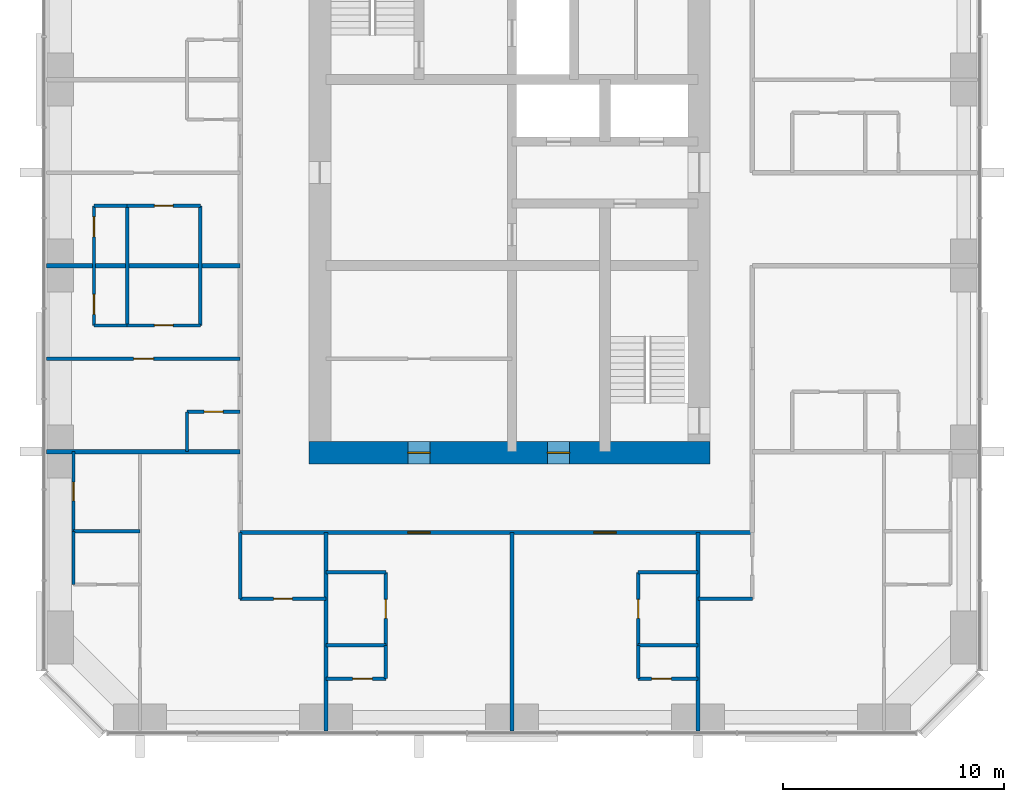
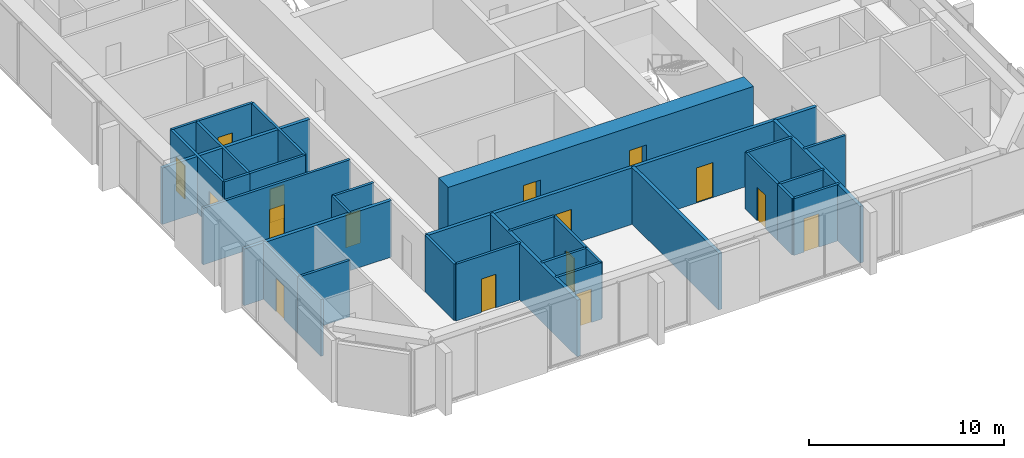
# One storey, part 7 of 12: 33 walls, 16 doors, 16 openings.
"""IFC4 building model written with IfcOpenShell, lengths in metres."""

from ifc_helpers import new_model, si_unit, direction, frame, frame_2d, origin, place, context, subcontext, project, spatial, rectangle, extrude, material, layer, layer_set, type_object, element, fill, save


model = new_model("IFC4")

# Units and contexts
model_context = context("Model", 3, precision=1e-05, world=origin(), true_north=direction((0.0, 1.0)))
body_context = subcontext(model_context, "Body", "Model", "MODEL_VIEW")
ifc_project = project(units=[si_unit("LENGTHUNIT", "METRE"), si_unit("AREAUNIT", "SQUARE_METRE"), si_unit("VOLUMEUNIT", "CUBIC_METRE"), si_unit("PLANEANGLEUNIT", "RADIAN"), si_unit("MASSUNIT", "GRAM", prefix="KILO")], contexts=[model_context])

# Site, building, storey
site_placement = place(None, origin())
site = spatial("IfcSite", under=ifc_project, at=site_placement, CompositionType="ELEMENT")
building_placement = place(site_placement, origin())
building = spatial("IfcBuilding", under=site, at=building_placement, Name="Dunama Terrace Hotel", CompositionType="ELEMENT")
storey_placement = place(building_placement, frame((0.0, 0.0, 229.5)))
storey = spatial("IfcBuildingStorey", under=building, at=storey_placement, Name="L59", CompositionType="ELEMENT", Elevation=229.5)

# Wall, opening, door
ifc_material_1 = material(Name="Gypsum board partition", Category="masonry")
ifc_layer_1 = layer(ifc_material_1, 0.14990234375)
ifc_layer_set_1 = layer_set([ifc_layer_1], Name="Bathroom partition 150")
wall_type_1 = type_object("IfcWallType", Name="Bathroom partition 150", PredefinedType="PARTITIONING", material=ifc_layer_set_1)
wall_1_placement = place(storey_placement, frame((13.800048828125, 13.199951171875, 0.0), z_axis=(0.0, 0.0, 1.0), x_axis=(0.0, 1.0, 0.0)))
wall_1 = element("IfcWall", 1, at=wall_1_placement, inside=storey, type_object=wall_type_1, Name="Bathroom partition 150 L59", PredefinedType="PARTITIONING", context=body_context, shape_type="SweptSolid", body=[
    extrude(rectangle(XDim=3.60009765625, YDim=0.14990234375, at=frame_2d((1.800048828125, 0.0))), origin(), (0.0, 0.0, 1.0), 3.550048828125),
])
opening_1_placement = place(wall_1_placement, frame((1.375, 0.0, 0.0)))
opening_1 = element("IfcOpeningElement", 2, at=opening_1_placement, cuts=wall_1, Name="Opening L59-049", PredefinedType="OPENING", context=body_context, shape_type="SweptSolid", body=[
    extrude(rectangle(XDim=0.85009765625, YDim=2.10009765625, at=frame_2d((0.425048828125, 1.050048828125))), frame((0.0, 0.0849609375, 0.0), z_axis=(0.0, -1.0, 0.0), x_axis=(1.0, 0.0, 0.0)), (0.0, 0.0, 1.0), 0.169921875),
])
ifc_material_2 = material(Name="Timber door with steel frame", Category="steel")
door_type_1 = type_object("IfcDoorType", Name="Bathroom door 850", OperationType="SINGLE_SWING_LEFT", PredefinedType="DOOR", material=ifc_material_2)
door_1_placement = place(opening_1_placement, frame((0.85009765625, 0.0, 0.0), z_axis=(0.0, 0.0, 1.0), x_axis=(-1.0, 0.0, 0.0)))
door_1 = element("IfcDoor", 3, at=door_1_placement, inside=storey, type_object=door_type_1, Name="Door to en-suite bathroom L59-049, type D2", OperationType="SINGLE_SWING_LEFT", OverallHeight=2.10009765625, OverallWidth=0.85009765625, PredefinedType="DOOR", context=body_context, shape_type="SweptSolid", body=[
    extrude(rectangle(XDim=0.85009765625, YDim=2.10009765625, at=frame_2d((0.425048828125, 1.050048828125))), frame((0.0, 0.025146484375, 0.0), z_axis=(0.0, -1.0, 0.0), x_axis=(1.0, 0.0, 0.0)), (0.0, 0.0, 1.0), 0.050048828125),
])
fill(opening_1, door_1)

# Walls
wall_2_placement = place(storey_placement, frame((18.925048828125, 16.800048828125, 0.0), z_axis=(0.0, 0.0, 1.0), x_axis=(0.0, 1.0, 0.0)))
element("IfcWall", 4, at=wall_2_placement, inside=storey, type_object=wall_type_1, Name="Bathroom partition 150 L59", PredefinedType="PARTITIONING", context=body_context, shape_type="SweptSolid", body=[
    extrude(rectangle(XDim=1.800048828125, YDim=0.14990234375, at=frame_2d((0.89990234375, 0.0))), origin(), (0.0, 0.0, 1.0), 3.550048828125),
])
wall_3_placement = place(storey_placement, frame((19.52490234375, 22.5, 0.0), z_axis=(0.0, 0.0, 1.0), x_axis=(0.0, 1.0, 0.0)))
element("IfcWall", 5, at=wall_3_placement, inside=storey, type_object=wall_type_1, Name="Bathroom partition 150 L59", PredefinedType="PARTITIONING", context=body_context, shape_type="SweptSolid", body=[
    extrude(rectangle(XDim=5.39990234375, YDim=0.14990234375, at=frame_2d((2.699951171875, 0.0))), origin(), (0.0, 0.0, 1.0), 3.550048828125),
])
wall_4_placement = place(storey_placement, frame((21.324951171875, 10.14990234375, 0.0), z_axis=(0.0, 0.0, 1.0), x_axis=(0.0, 1.0, 0.0)))
element("IfcWall", 6, at=wall_4_placement, inside=storey, type_object=wall_type_1, Name="Bathroom partition 150 L59", PredefinedType="PARTITIONING", context=body_context, shape_type="SweptSolid", body=[
    extrude(rectangle(XDim=3.0, YDim=0.14990234375, at=frame_2d((1.5, 0.0))), origin(), (0.0, 0.0, 1.0), 3.550048828125),
])

# Wall, opening, door
wall_5_placement = place(storey_placement, frame((27.89990234375, 8.050048828125, 0.0), z_axis=(0.0, 0.0, 1.0), x_axis=(0.0, 1.0, 0.0)))
wall_5 = element("IfcWall", 7, at=wall_5_placement, inside=storey, type_object=wall_type_1, Name="Bathroom partition 150 L59", PredefinedType="PARTITIONING", context=body_context, shape_type="SweptSolid", body=[
    extrude(rectangle(XDim=3.300048828125, YDim=0.14990234375, at=frame_2d((1.64990234375, 0.0))), origin(), (0.0, 0.0, 1.0), 3.550048828125),
])
opening_2_placement = place(wall_5_placement, frame((1.22509765625, 0.0, 0.0)))
opening_2 = element("IfcOpeningElement", 8, at=opening_2_placement, cuts=wall_5, Name="Opening L59-008", PredefinedType="OPENING", context=body_context, shape_type="SweptSolid", body=[
    extrude(rectangle(XDim=0.85009765625, YDim=2.10009765625, at=frame_2d((0.425048828125, 1.050048828125))), frame((0.0, 0.0849609375, 0.0), z_axis=(0.0, -1.0, 0.0), x_axis=(1.0, 0.0, 0.0)), (0.0, 0.0, 1.0), 0.169921875),
])
door_2_placement = place(opening_2_placement, origin())
door_2 = element("IfcDoor", 9, at=door_2_placement, inside=storey, type_object=door_type_1, Name="Door to en-suite bathroom L59-008, type D2", OperationType="SINGLE_SWING_LEFT", OverallHeight=2.10009765625, OverallWidth=0.85009765625, PredefinedType="DOOR", context=body_context, shape_type="SweptSolid", body=[
    extrude(rectangle(XDim=0.85009765625, YDim=2.10009765625, at=frame_2d((0.425048828125, 1.050048828125))), frame((0.0, 0.02490234375, 0.0), z_axis=(0.0, -1.0, 0.0), x_axis=(1.0, 0.0, 0.0)), (0.0, 0.0, 1.0), 0.050048828125),
])
fill(opening_2, door_2)

wall_6_placement = place(storey_placement, frame((39.300048828125, 8.050048828125, 0.0), z_axis=(0.0, 0.0, 1.0), x_axis=(0.0, 1.0, 0.0)))
wall_6 = element("IfcWall", 10, at=wall_6_placement, inside=storey, type_object=wall_type_1, Name="Bathroom partition 150 L59", PredefinedType="PARTITIONING", context=body_context, shape_type="SweptSolid", body=[
    extrude(rectangle(XDim=3.300048828125, YDim=0.14990234375, at=frame_2d((1.64990234375, 0.0))), origin(), (0.0, 0.0, 1.0), 3.550048828125),
])
opening_3_placement = place(wall_6_placement, frame((1.22509765625, 0.0, 0.0)))
opening_3 = element("IfcOpeningElement", 11, at=opening_3_placement, cuts=wall_6, Name="Opening L59-011", PredefinedType="OPENING", context=body_context, shape_type="SweptSolid", body=[
    extrude(rectangle(XDim=0.85009765625, YDim=2.10009765625, at=frame_2d((0.425048828125, 1.050048828125))), frame((0.0, 0.0849609375, 0.0), z_axis=(0.0, -1.0, 0.0), x_axis=(1.0, 0.0, 0.0)), (0.0, 0.0, 1.0), 0.169921875),
])
door_3_placement = place(opening_3_placement, frame((0.85009765625, 0.0, 0.0), z_axis=(0.0, 0.0, 1.0), x_axis=(-1.0, 0.0, 0.0)))
door_3 = element("IfcDoor", 12, at=door_3_placement, inside=storey, type_object=door_type_1, Name="Door to en-suite bathroom L59-011, type D2", OperationType="SINGLE_SWING_RIGHT", OverallHeight=2.10009765625, OverallWidth=0.85009765625, PredefinedType="DOOR", context=body_context, shape_type="SweptSolid", body=[
    extrude(rectangle(XDim=0.85009765625, YDim=2.10009765625, at=frame_2d((0.425048828125, 1.050048828125))), frame((0.0, 0.025146484375, 0.0), z_axis=(0.0, -1.0, 0.0), x_axis=(1.0, 0.0, 0.0)), (0.0, 0.0, 1.0), 0.050048828125),
])
fill(opening_3, door_3)

wall_7_placement = place(storey_placement, frame((21.324951171875, 10.14990234375, 0.0), z_axis=(0.0, 0.0, 1.0), x_axis=(1.0, 0.0, 0.0)))
wall_7 = element("IfcWall", 13, at=wall_7_placement, inside=storey, type_object=wall_type_1, Name="Bathroom partition 150 L59", PredefinedType="PARTITIONING", context=body_context, shape_type="SweptSolid", body=[
    extrude(rectangle(XDim=3.875, YDim=0.14990234375, at=frame_2d((1.9375, 0.0))), origin(), (0.0, 0.0, 1.0), 3.550048828125),
])
opening_4_placement = place(wall_7_placement, frame((1.511962890625, 0.0, 0.0)))
opening_4 = element("IfcOpeningElement", 14, at=opening_4_placement, cuts=wall_7, Name="Opening L59-047", PredefinedType="OPENING", context=body_context, shape_type="SweptSolid", body=[
    extrude(rectangle(XDim=0.85009765625, YDim=2.10009765625, at=frame_2d((0.425048828125, 1.050048828125))), frame((0.0, 0.0849609375, 0.0), z_axis=(0.0, -1.0, 0.0), x_axis=(1.0, 0.0, 0.0)), (0.0, 0.0, 1.0), 0.169921875),
])
door_4_placement = place(opening_4_placement, origin())
door_4 = element("IfcDoor", 15, at=door_4_placement, inside=storey, type_object=door_type_1, Name="Door to powder room L59-047, type D2", OperationType="SINGLE_SWING_RIGHT", OverallHeight=2.10009765625, OverallWidth=0.85009765625, PredefinedType="DOOR", context=body_context, shape_type="SweptSolid", body=[
    extrude(rectangle(XDim=0.85009765625, YDim=2.10009765625, at=frame_2d((0.425048828125, 1.050048828125))), frame((0.0, 0.02490234375, 0.0), z_axis=(0.0, -1.0, 0.0), x_axis=(1.0, 0.0, 0.0)), (0.0, 0.0, 1.0), 0.050048828125),
])
fill(opening_4, door_4)

# Walls
wall_8_placement = place(storey_placement, frame((42.0, 10.14990234375, 0.0), z_axis=(0.0, 0.0, 1.0), x_axis=(1.0, 0.0, 0.0)))
element("IfcWall", 16, at=wall_8_placement, inside=storey, type_object=wall_type_1, Name="Bathroom partition 150 L59", PredefinedType="PARTITIONING", context=body_context, shape_type="SweptSolid", body=[
    extrude(rectangle(XDim=2.449951171875, YDim=0.14990234375, at=frame_2d((1.22509765625, 0.0))), origin(), (0.0, 0.0, 1.0), 3.550048828125),
])
for number, where, z_axis, x_axis, name in (
    (17, (25.199951171875, 11.35009765625, 0.0), (0.0, 0.0, 1.0), (1.0, 0.0, 0.0), "Bathroom partition 150 L59"),
    (18, (39.300048828125, 11.35009765625, 0.0), (0.0, 0.0, 1.0), (1.0, 0.0, 0.0), "Bathroom partition 150 L59"),
):
    element("IfcWall", number, at=place(storey_placement, frame(where, z_axis=z_axis, x_axis=x_axis)), inside=storey, type_object=wall_type_1, Name=name, PredefinedType="PARTITIONING", context=body_context, shape_type="SweptSolid", body=[
        extrude(rectangle(XDim=2.699951171875, YDim=0.14990234375, at=frame_2d((1.35009765625, 0.0))), origin(), (0.0, 0.0, 1.0), 3.550048828125),
    ])

# Wall, opening, door
wall_9_placement = place(storey_placement, frame((18.925048828125, 18.60009765625, 0.0), z_axis=(0.0, 0.0, 1.0), x_axis=(1.0, 0.0, 0.0)))
wall_9 = element("IfcWall", 19, at=wall_9_placement, inside=storey, type_object=wall_type_1, Name="Bathroom partition 150 L59", PredefinedType="PARTITIONING", context=body_context, shape_type="SweptSolid", body=[
    extrude(rectangle(XDim=2.39990234375, YDim=0.14990234375, at=frame_2d((1.199951171875, 0.0))), origin(), (0.0, 0.0, 1.0), 3.550048828125),
])
opening_5_placement = place(wall_9_placement, frame((0.77490234375, 0.0, 0.0)))
opening_5 = element("IfcOpeningElement", 20, at=opening_5_placement, cuts=wall_9, Name="Opening L59-032", PredefinedType="OPENING", context=body_context, shape_type="SweptSolid", body=[
    extrude(rectangle(XDim=0.85009765625, YDim=2.10009765625, at=frame_2d((0.425048828125, 1.050048828125))), frame((0.0, 0.0849609375, 0.0), z_axis=(0.0, -1.0, 0.0), x_axis=(1.0, 0.0, 0.0)), (0.0, 0.0, 1.0), 0.169921875),
])
door_5_placement = place(opening_5_placement, frame((0.85009765625, 0.0, 0.0), z_axis=(0.0, 0.0, 1.0), x_axis=(-1.0, 0.0, 0.0)))
door_5 = element("IfcDoor", 21, at=door_5_placement, inside=storey, type_object=door_type_1, Name="Door to powder room L59-032, type D2", OperationType="SINGLE_SWING_LEFT", OverallHeight=2.10009765625, OverallWidth=0.85009765625, PredefinedType="DOOR", context=body_context, shape_type="SweptSolid", body=[
    extrude(rectangle(XDim=0.85009765625, YDim=2.10009765625, at=frame_2d((0.425048828125, 1.050048828125))), frame((0.0, 0.025146484375, 0.0), z_axis=(0.0, -1.0, 0.0), x_axis=(1.0, 0.0, 0.0)), (0.0, 0.0, 1.0), 0.050048828125),
])
fill(opening_5, door_5)

wall_10_placement = place(storey_placement, frame((16.22509765625, 22.5, 0.0), z_axis=(0.0, 0.0, 1.0), x_axis=(1.0, 0.0, 0.0)))
wall_10 = element("IfcWall", 22, at=wall_10_placement, inside=storey, type_object=wall_type_1, Name="Bathroom partition 150 L59", PredefinedType="PARTITIONING", context=body_context, shape_type="SweptSolid", body=[
    extrude(rectangle(XDim=3.2998046875, YDim=0.14990234375, at=frame_2d((1.64990234375, 0.0))), origin(), (0.0, 0.0, 1.0), 3.550048828125),
])
opening_6_placement = place(wall_10_placement, frame((1.22509765625, 0.0, 0.0)))
opening_6 = element("IfcOpeningElement", 23, at=opening_6_placement, cuts=wall_10, Name="Opening L59-034", PredefinedType="OPENING", context=body_context, shape_type="SweptSolid", body=[
    extrude(rectangle(XDim=0.85009765625, YDim=2.10009765625, at=frame_2d((0.425048828125, 1.050048828125))), frame((0.0, 0.0849609375, 0.0), z_axis=(0.0, -1.0, 0.0), x_axis=(1.0, 0.0, 0.0)), (0.0, 0.0, 1.0), 0.169921875),
])
door_6_placement = place(opening_6_placement, origin())
door_6 = element("IfcDoor", 24, at=door_6_placement, inside=storey, type_object=door_type_1, Name="Door to en-suite bathroom L59-034, type D2", OperationType="SINGLE_SWING_RIGHT", OverallHeight=2.10009765625, OverallWidth=0.85009765625, PredefinedType="DOOR", context=body_context, shape_type="SweptSolid", body=[
    extrude(rectangle(XDim=0.85009765625, YDim=2.10009765625, at=frame_2d((0.425048828125, 1.050048828125))), frame((0.0, 0.02490234375, 0.0), z_axis=(0.0, -1.0, 0.0), x_axis=(1.0, 0.0, 0.0)), (0.0, 0.0, 1.0), 0.050048828125),
])
fill(opening_6, door_6)

wall_11_placement = place(storey_placement, frame((16.22509765625, 27.89990234375, 0.0), z_axis=(0.0, 0.0, 1.0), x_axis=(1.0, 0.0, 0.0)))
wall_11 = element("IfcWall", 25, at=wall_11_placement, inside=storey, type_object=wall_type_1, Name="Bathroom partition 150 L59", PredefinedType="PARTITIONING", context=body_context, shape_type="SweptSolid", body=[
    extrude(rectangle(XDim=3.2998046875, YDim=0.14990234375, at=frame_2d((1.64990234375, 0.0))), origin(), (0.0, 0.0, 1.0), 3.550048828125),
])
opening_7_placement = place(wall_11_placement, frame((1.22509765625, 0.0, 0.0)))
opening_7 = element("IfcOpeningElement", 26, at=opening_7_placement, cuts=wall_11, Name="Opening L59-039", PredefinedType="OPENING", context=body_context, shape_type="SweptSolid", body=[
    extrude(rectangle(XDim=0.85009765625, YDim=2.10009765625, at=frame_2d((0.425048828125, 1.050048828125))), frame((0.0, 0.0849609375, 0.0), z_axis=(0.0, -1.0, 0.0), x_axis=(1.0, 0.0, 0.0)), (0.0, 0.0, 1.0), 0.169921875),
])
door_7_placement = place(opening_7_placement, frame((0.85009765625, 0.0, 0.0), z_axis=(0.0, 0.0, 1.0), x_axis=(-1.0, 0.0, 0.0)))
door_7 = element("IfcDoor", 27, at=door_7_placement, inside=storey, type_object=door_type_1, Name="Door to en-suite bathroom L59-039, type D2", OperationType="SINGLE_SWING_LEFT", OverallHeight=2.10009765625, OverallWidth=0.85009765625, PredefinedType="DOOR", context=body_context, shape_type="SweptSolid", body=[
    extrude(rectangle(XDim=0.85009765625, YDim=2.10009765625, at=frame_2d((0.425048828125, 1.050048828125))), frame((0.0, 0.025146484375, 0.0), z_axis=(0.0, -1.0, 0.0), x_axis=(1.0, 0.0, 0.0)), (0.0, 0.0, 1.0), 0.050048828125),
])
fill(opening_7, door_7)

# Wall, openings, doors
ifc_material_3 = material(Name="Concrete C60/75", Category="concrete")
ifc_layer_2 = layer(ifc_material_3, 1.0)
ifc_layer_set_2 = layer_set([ifc_layer_2], Name="Core wall 1000")
wall_type_2 = type_object("IfcWallType", Name="Core wall 1000", PredefinedType="SHEAR", material=ifc_layer_set_2)
wall_12_placement = place(storey_placement, frame((24.425048828125, 16.75, -0.35009765625), z_axis=(0.0, 0.0, 1.0), x_axis=(1.0, 0.0, 0.0)))
wall_12 = element("IfcWall", 28, at=wall_12_placement, inside=storey, type_object=wall_type_2, Name="Core wall south L59", PredefinedType="SHEAR", context=body_context, shape_type="SweptSolid", body=[
    extrude(rectangle(XDim=18.125, YDim=1.0, at=frame_2d((9.0625, 0.0))), origin(), (0.0, 0.0, 1.0), 3.900146484375),
])
opening_8_placement = place(wall_12_placement, frame((4.47509765625, 0.0, 0.35009765625)))
opening_8 = element("IfcOpeningElement", 29, at=opening_8_placement, cuts=wall_12, Name="Opening L59-073", PredefinedType="OPENING", context=body_context, shape_type="SweptSolid", body=[
    extrude(rectangle(XDim=1.0, YDim=2.10009765625, at=frame_2d((0.5, 1.050048828125))), frame((0.0, 0.510009765625, 0.0), z_axis=(0.0, -1.0, 0.0), x_axis=(1.0, 0.0, 0.0)), (0.0, 0.0, 1.0), 1.02001953125),
])
opening_9_placement = place(wall_12_placement, frame((10.77490234375, 0.0, 0.35009765625)))
opening_9 = element("IfcOpeningElement", 30, at=opening_9_placement, cuts=wall_12, Name="Opening L59-075", PredefinedType="OPENING", context=body_context, shape_type="SweptSolid", body=[
    extrude(rectangle(XDim=1.0, YDim=2.10009765625, at=frame_2d((0.5, 1.050048828125))), frame((0.0, 0.510009765625, 0.0), z_axis=(0.0, -1.0, 0.0), x_axis=(1.0, 0.0, 0.0)), (0.0, 0.0, 1.0), 1.02001953125),
])
ifc_material_4 = material(Name="Timber door with steel frame", Category="steel")
door_type_2 = type_object("IfcDoorType", Name="Service door 1000", OperationType="SINGLE_SWING_LEFT", PredefinedType="DOOR", material=ifc_material_4)
door_8_placement = place(opening_8_placement, origin())
door_8 = element("IfcDoor", 31, at=door_8_placement, inside=storey, type_object=door_type_2, Name="Door to corridor air handling room L59-073, type D7", OperationType="SINGLE_SWING_LEFT", OverallHeight=2.10009765625, OverallWidth=1.0, PredefinedType="DOOR", context=body_context, shape_type="SweptSolid", body=[
    extrude(rectangle(XDim=1.0, YDim=2.10009765625, at=frame_2d((0.5, 1.050048828125))), frame((0.0, 0.02490234375, 0.0), z_axis=(0.0, -1.0, 0.0), x_axis=(1.0, 0.0, 0.0)), (0.0, 0.0, 1.0), 0.050048828125),
])
fill(opening_8, door_8)
door_9_placement = place(opening_9_placement, origin())
door_9 = element("IfcDoor", 32, at=door_9_placement, inside=storey, type_object=door_type_2, Name="Door to water riser room L59-075, type D7", OperationType="SINGLE_SWING_RIGHT", OverallHeight=2.10009765625, OverallWidth=1.0, PredefinedType="DOOR", context=body_context, shape_type="SweptSolid", body=[
    extrude(rectangle(XDim=1.0, YDim=2.10009765625, at=frame_2d((0.5, 1.050048828125))), frame((0.0, 0.02490234375, 0.0), z_axis=(0.0, -1.0, 0.0), x_axis=(1.0, 0.0, 0.0)), (0.0, 0.0, 1.0), 0.050048828125),
])
fill(opening_9, door_9)

ifc_material_5 = material(Name="Concrete blockwork", Category="masonry")
ifc_layer_3 = layer(ifc_material_5, 0.199951171875)
ifc_layer_set_3 = layer_set([ifc_layer_3], Name="Corridor partition 200")
wall_type_3 = type_object("IfcWallType", Name="Corridor partition 200", PredefinedType="PARTITIONING", material=ifc_layer_set_3)
wall_13_placement = place(storey_placement, frame((44.449951171875, 13.14990234375, 0.0), z_axis=(0.0, 0.0, 1.0), x_axis=(-1.0, 0.0, 0.0)))
wall_13 = element("IfcWall", 33, at=wall_13_placement, inside=storey, type_object=wall_type_3, Name="Corridor partition 200 L59", PredefinedType="PARTITIONING", context=body_context, shape_type="SweptSolid", body=[
    extrude(rectangle(XDim=23.125, YDim=0.199951171875, at=frame_2d((11.5625, 0.0))), origin(), (0.0, 0.0, 1.0), 3.550048828125),
])
opening_10_placement = place(wall_13_placement, frame((14.550048828125, 0.0, 0.0)))
opening_10 = element("IfcOpeningElement", 34, at=opening_10_placement, cuts=wall_13, Name="Opening L59-007", PredefinedType="OPENING", context=body_context, shape_type="SweptSolid", body=[
    extrude(rectangle(XDim=1.0, YDim=2.199951171875, at=frame_2d((0.5, 1.10009765625))), frame((0.0, 0.10986328125, 0.0), z_axis=(0.0, -1.0, 0.0), x_axis=(1.0, 0.0, 0.0)), (0.0, 0.0, 1.0), 0.219970703125),
])
opening_11_placement = place(wall_13_placement, frame((6.14990234375, 0.0, 0.0)))
opening_11 = element("IfcOpeningElement", 35, at=opening_11_placement, cuts=wall_13, Name="Opening L59-010", PredefinedType="OPENING", context=body_context, shape_type="SweptSolid", body=[
    extrude(rectangle(XDim=1.0, YDim=2.199951171875, at=frame_2d((0.5, 1.10009765625))), frame((0.0, 0.10986328125, 0.0), z_axis=(0.0, -1.0, 0.0), x_axis=(1.0, 0.0, 0.0)), (0.0, 0.0, 1.0), 0.219970703125),
])
ifc_material_6 = material(Name="Timber door with steel frame", Category="steel")
door_type_3 = type_object("IfcDoorType", Name="Guest room door 1000", OperationType="SINGLE_SWING_LEFT", PredefinedType="DOOR", material=ifc_material_6)
door_10_placement = place(opening_10_placement, origin())
door_10 = element("IfcDoor", 36, at=door_10_placement, inside=storey, type_object=door_type_3, Name="Door to junior suite L59-007, type D1", OperationType="SINGLE_SWING_RIGHT", OverallHeight=2.199951171875, OverallWidth=1.0, PredefinedType="DOOR", context=body_context, shape_type="SweptSolid", body=[
    extrude(rectangle(XDim=1.0, YDim=2.199951171875, at=frame_2d((0.5, 1.10009765625))), frame((0.0, 0.02490234375, 0.0), z_axis=(0.0, -1.0, 0.0), x_axis=(1.0, 0.0, 0.0)), (0.0, 0.0, 1.0), 0.050048828125),
])
fill(opening_10, door_10)
door_11_placement = place(opening_11_placement, origin())
door_11 = element("IfcDoor", 37, at=door_11_placement, inside=storey, type_object=door_type_3, Name="Door to junior suite L59-010, type D1", OperationType="SINGLE_SWING_LEFT", OverallHeight=2.199951171875, OverallWidth=1.0, PredefinedType="DOOR", context=body_context, shape_type="SweptSolid", body=[
    extrude(rectangle(XDim=1.0, YDim=2.199951171875, at=frame_2d((0.5, 1.10009765625))), frame((0.0, 0.02490234375, 0.0), z_axis=(0.0, -1.0, 0.0), x_axis=(1.0, 0.0, 0.0)), (0.0, 0.0, 1.0), 0.050048828125),
])
fill(opening_11, door_11)

# Walls
ifc_material_7 = material(Name="Concrete blockwork", Category="masonry")
ifc_layer_4 = layer(ifc_material_7, 0.199951171875)
ifc_layer_set_4 = layer_set([ifc_layer_4], Name="Party wall 200")
wall_type_4 = type_object("IfcWallType", Name="Party wall 200", PredefinedType="PARTITIONING", material=ifc_layer_set_4)
for number, where, z_axis, x_axis, name in (
    (38, (25.199951171875, 4.181884765625, 0.0), (0.0, 0.0, 1.0), (0.0, 1.0, 0.0), "Party wall 200 L59"),
    (39, (33.60009765625, 4.181884765625, 0.0), (0.0, 0.0, 1.0), (0.0, 1.0, 0.0), "Party wall 200 L59"),
    (40, (42.0, 4.181884765625, 0.0), (0.0, 0.0, 1.0), (0.0, 1.0, 0.0), "Party wall 200 L59"),
):
    element("IfcWall", number, at=place(storey_placement, frame(where, z_axis=z_axis, x_axis=x_axis)), inside=storey, type_object=wall_type_4, Name=name, PredefinedType="PARTITIONING", context=body_context, shape_type="SweptSolid", body=[
        extrude(rectangle(XDim=8.968017578125, YDim=0.199951171875, at=frame_2d((4.48388671875, 0.0))), origin(), (0.0, 0.0, 1.0), 3.550048828125),
    ])
for number, where, z_axis, x_axis, name in (
    (41, (12.58203125, 16.800048828125, 0.0), (0.0, 0.0, 1.0), (1.0, 0.0, 0.0), "Party wall 200 L59"),
    (42, (12.58203125, 25.199951171875, 0.0), (0.0, 0.0, 1.0), (1.0, 0.0, 0.0), "Party wall 200 L59"),
):
    element("IfcWall", number, at=place(storey_placement, frame(where, z_axis=z_axis, x_axis=x_axis)), inside=storey, type_object=wall_type_4, Name=name, PredefinedType="PARTITIONING", context=body_context, shape_type="SweptSolid", body=[
        extrude(rectangle(XDim=8.742919921875, YDim=0.199951171875, at=frame_2d((4.37158203125, 0.0))), origin(), (0.0, 0.0, 1.0), 3.550048828125),
    ])
ifc_material_8 = material(Name="Gypsum board partition", Category="masonry")
ifc_layer_5 = layer(ifc_material_8, 0.14990234375)
ifc_layer_set_5 = layer_set([ifc_layer_5], Name="Room partition 150")
wall_type_5 = type_object("IfcWallType", Name="Room partition 150", PredefinedType="PARTITIONING", material=ifc_layer_set_5)
wall_14_placement = place(storey_placement, frame((13.800048828125, 10.800048828125, 0.0), z_axis=(0.0, 0.0, 1.0), x_axis=(0.0, 1.0, 0.0)))
element("IfcWall", 43, at=wall_14_placement, inside=storey, type_object=wall_type_5, Name="Room partition 150 L59", PredefinedType="PARTITIONING", context=body_context, shape_type="SweptSolid", body=[
    extrude(rectangle(XDim=2.39990234375, YDim=0.14990234375, at=frame_2d((1.199951171875, 0.0))), origin(), (0.0, 0.0, 1.0), 3.550048828125),
])

# Wall, openings, doors
wall_15_placement = place(storey_placement, frame((14.72509765625, 22.5, 0.0), z_axis=(0.0, 0.0, 1.0), x_axis=(0.0, 1.0, 0.0)))
wall_15 = element("IfcWall", 44, at=wall_15_placement, inside=storey, type_object=wall_type_5, Name="Room partition 150 L59", PredefinedType="PARTITIONING", context=body_context, shape_type="SweptSolid", body=[
    extrude(rectangle(XDim=5.39990234375, YDim=0.14990234375, at=frame_2d((2.699951171875, 0.0))), origin(), (0.0, 0.0, 1.0), 3.550048828125),
])
opening_12_placement = place(wall_15_placement, frame((0.5, 0.0, 0.0)))
opening_12 = element("IfcOpeningElement", 45, at=opening_12_placement, cuts=wall_15, Name="Opening L59-035", PredefinedType="OPENING", context=body_context, shape_type="SweptSolid", body=[
    extrude(rectangle(XDim=0.89990234375, YDim=2.10009765625, at=frame_2d((0.449951171875, 1.050048828125))), frame((0.0, 0.0849609375, 0.0), z_axis=(0.0, -1.0, 0.0), x_axis=(1.0, 0.0, 0.0)), (0.0, 0.0, 1.0), 0.169921875),
])
opening_13_placement = place(wall_15_placement, frame((4.0, 0.0, 0.0)))
opening_13 = element("IfcOpeningElement", 46, at=opening_13_placement, cuts=wall_15, Name="Opening L59-040", PredefinedType="OPENING", context=body_context, shape_type="SweptSolid", body=[
    extrude(rectangle(XDim=0.89990234375, YDim=2.10009765625, at=frame_2d((0.449951171875, 1.050048828125))), frame((0.0, 0.0849609375, 0.0), z_axis=(0.0, -1.0, 0.0), x_axis=(1.0, 0.0, 0.0)), (0.0, 0.0, 1.0), 0.169921875),
])
ifc_material_9 = material(Name="Timber door with steel frame", Category="steel")
door_type_4 = type_object("IfcDoorType", Name="Suite internal door 900", OperationType="SINGLE_SWING_LEFT", PredefinedType="DOOR", material=ifc_material_9)
door_12_placement = place(opening_12_placement, frame((0.89990234375, 0.0, 0.0), z_axis=(0.0, 0.0, 1.0), x_axis=(-1.0, 0.0, 0.0)))
door_12 = element("IfcDoor", 47, at=door_12_placement, inside=storey, type_object=door_type_4, Name="Door to walk-in wardrobe L59-035, type D16", OperationType="SINGLE_SWING_LEFT", OverallHeight=2.10009765625, OverallWidth=0.89990234375, PredefinedType="DOOR", context=body_context, shape_type="SweptSolid", body=[
    extrude(rectangle(XDim=0.89990234375, YDim=2.10009765625, at=frame_2d((0.449951171875, 1.050048828125))), frame((0.0, 0.025146484375, 0.0), z_axis=(0.0, -1.0, 0.0), x_axis=(1.0, 0.0, 0.0)), (0.0, 0.0, 1.0), 0.050048828125),
])
fill(opening_12, door_12)
door_13_placement = place(opening_13_placement, frame((0.89990234375, 0.0, 0.0), z_axis=(0.0, 0.0, 1.0), x_axis=(-1.0, 0.0, 0.0)))
door_13 = element("IfcDoor", 48, at=door_13_placement, inside=storey, type_object=door_type_4, Name="Door to walk-in wardrobe L59-040, type D16", OperationType="SINGLE_SWING_RIGHT", OverallHeight=2.10009765625, OverallWidth=0.89990234375, PredefinedType="DOOR", context=body_context, shape_type="SweptSolid", body=[
    extrude(rectangle(XDim=0.89990234375, YDim=2.10009765625, at=frame_2d((0.449951171875, 1.050048828125))), frame((0.0, 0.025146484375, 0.0), z_axis=(0.0, -1.0, 0.0), x_axis=(1.0, 0.0, 0.0)), (0.0, 0.0, 1.0), 0.050048828125),
])
fill(opening_13, door_13)

# Walls
wall_16_placement = place(storey_placement, frame((16.22509765625, 22.5, 0.0), z_axis=(0.0, 0.0, 1.0), x_axis=(0.0, 1.0, 0.0)))
element("IfcWall", 49, at=wall_16_placement, inside=storey, type_object=wall_type_5, Name="Room partition 150 L59", PredefinedType="PARTITIONING", context=body_context, shape_type="SweptSolid", body=[
    extrude(rectangle(XDim=5.39990234375, YDim=0.14990234375, at=frame_2d((2.699951171875, 0.0))), origin(), (0.0, 0.0, 1.0), 3.550048828125),
])
for number, where, z_axis, x_axis, name in (
    (50, (27.89990234375, 6.550048828125, 0.0), (0.0, 0.0, 1.0), (0.0, 1.0, 0.0), "Room partition 150 L59"),
    (51, (39.300048828125, 6.550048828125, 0.0), (0.0, 0.0, 1.0), (0.0, 1.0, 0.0), "Room partition 150 L59"),
):
    element("IfcWall", number, at=place(storey_placement, frame(where, z_axis=z_axis, x_axis=x_axis)), inside=storey, type_object=wall_type_5, Name=name, PredefinedType="PARTITIONING", context=body_context, shape_type="SweptSolid", body=[
        extrude(rectangle(XDim=1.5, YDim=0.14990234375, at=frame_2d((0.75, 0.0))), origin(), (0.0, 0.0, 1.0), 3.550048828125),
    ])

# Wall, opening, door
wall_17_placement = place(storey_placement, frame((25.199951171875, 6.550048828125, 0.0), z_axis=(0.0, 0.0, 1.0), x_axis=(1.0, 0.0, 0.0)))
wall_17 = element("IfcWall", 52, at=wall_17_placement, inside=storey, type_object=wall_type_5, Name="Room partition 150 L59", PredefinedType="PARTITIONING", context=body_context, shape_type="SweptSolid", body=[
    extrude(rectangle(XDim=2.699951171875, YDim=0.14990234375, at=frame_2d((1.35009765625, 0.0))), origin(), (0.0, 0.0, 1.0), 3.550048828125),
])
opening_14_placement = place(wall_17_placement, frame((1.199951171875, 0.0, 0.0)))
opening_14 = element("IfcOpeningElement", 53, at=opening_14_placement, cuts=wall_17, Name="Opening L59-009", PredefinedType="OPENING", context=body_context, shape_type="SweptSolid", body=[
    extrude(rectangle(XDim=0.89990234375, YDim=2.10009765625, at=frame_2d((0.449951171875, 1.050048828125))), frame((0.0, 0.0849609375, 0.0), z_axis=(0.0, -1.0, 0.0), x_axis=(1.0, 0.0, 0.0)), (0.0, 0.0, 1.0), 0.169921875),
])
door_14_placement = place(opening_14_placement, origin())
door_14 = element("IfcDoor", 54, at=door_14_placement, inside=storey, type_object=door_type_4, Name="Door to walk-in wardrobe L59-009, type D16", OperationType="SINGLE_SWING_LEFT", OverallHeight=2.10009765625, OverallWidth=0.89990234375, PredefinedType="DOOR", context=body_context, shape_type="SweptSolid", body=[
    extrude(rectangle(XDim=0.89990234375, YDim=2.10009765625, at=frame_2d((0.449951171875, 1.050048828125))), frame((0.0, 0.02490234375, 0.0), z_axis=(0.0, -1.0, 0.0), x_axis=(1.0, 0.0, 0.0)), (0.0, 0.0, 1.0), 0.050048828125),
])
fill(opening_14, door_14)

wall_18_placement = place(storey_placement, frame((39.300048828125, 6.550048828125, 0.0), z_axis=(0.0, 0.0, 1.0), x_axis=(1.0, 0.0, 0.0)))
wall_18 = element("IfcWall", 55, at=wall_18_placement, inside=storey, type_object=wall_type_5, Name="Room partition 150 L59", PredefinedType="PARTITIONING", context=body_context, shape_type="SweptSolid", body=[
    extrude(rectangle(XDim=2.699951171875, YDim=0.14990234375, at=frame_2d((1.35009765625, 0.0))), origin(), (0.0, 0.0, 1.0), 3.550048828125),
])
opening_15_placement = place(wall_18_placement, frame((0.60009765625, 0.0, 0.0)))
opening_15 = element("IfcOpeningElement", 56, at=opening_15_placement, cuts=wall_18, Name="Opening L59-012", PredefinedType="OPENING", context=body_context, shape_type="SweptSolid", body=[
    extrude(rectangle(XDim=0.89990234375, YDim=2.10009765625, at=frame_2d((0.449951171875, 1.050048828125))), frame((0.0, 0.0849609375, 0.0), z_axis=(0.0, -1.0, 0.0), x_axis=(1.0, 0.0, 0.0)), (0.0, 0.0, 1.0), 0.169921875),
])
door_15_placement = place(opening_15_placement, origin())
door_15 = element("IfcDoor", 57, at=door_15_placement, inside=storey, type_object=door_type_4, Name="Door to walk-in wardrobe L59-012, type D16", OperationType="SINGLE_SWING_LEFT", OverallHeight=2.10009765625, OverallWidth=0.89990234375, PredefinedType="DOOR", context=body_context, shape_type="SweptSolid", body=[
    extrude(rectangle(XDim=0.89990234375, YDim=2.10009765625, at=frame_2d((0.449951171875, 1.050048828125))), frame((0.0, 0.02490234375, 0.0), z_axis=(0.0, -1.0, 0.0), x_axis=(1.0, 0.0, 0.0)), (0.0, 0.0, 1.0), 0.050048828125),
])
fill(opening_15, door_15)

# Walls
for number, where, z_axis, x_axis, name in (
    (58, (25.199951171875, 8.050048828125, 0.0), (0.0, 0.0, 1.0), (1.0, 0.0, 0.0), "Room partition 150 L59"),
    (59, (39.300048828125, 8.050048828125, 0.0), (0.0, 0.0, 1.0), (1.0, 0.0, 0.0), "Room partition 150 L59"),
):
    element("IfcWall", number, at=place(storey_placement, frame(where, z_axis=z_axis, x_axis=x_axis)), inside=storey, type_object=wall_type_5, Name=name, PredefinedType="PARTITIONING", context=body_context, shape_type="SweptSolid", body=[
        extrude(rectangle(XDim=2.699951171875, YDim=0.14990234375, at=frame_2d((1.35009765625, 0.0))), origin(), (0.0, 0.0, 1.0), 3.550048828125),
    ])
wall_19_placement = place(storey_placement, frame((13.800048828125, 13.199951171875, 0.0), z_axis=(0.0, 0.0, 1.0), x_axis=(1.0, 0.0, 0.0)))
element("IfcWall", 60, at=wall_19_placement, inside=storey, type_object=wall_type_5, Name="Room partition 150 L59", PredefinedType="PARTITIONING", context=body_context, shape_type="SweptSolid", body=[
    extrude(rectangle(XDim=3.0, YDim=0.14990234375, at=frame_2d((1.5, 0.0))), origin(), (0.0, 0.0, 1.0), 3.550048828125),
])

# Wall, opening, door
wall_20_placement = place(storey_placement, frame((12.58203125, 21.0, 0.0), z_axis=(0.0, 0.0, 1.0), x_axis=(1.0, 0.0, 0.0)))
wall_20 = element("IfcWall", 61, at=wall_20_placement, inside=storey, type_object=wall_type_5, Name="Room partition 150 L59", PredefinedType="PARTITIONING", context=body_context, shape_type="SweptSolid", body=[
    extrude(rectangle(XDim=8.742919921875, YDim=0.14990234375, at=frame_2d((4.37158203125, 0.0))), origin(), (0.0, 0.0, 1.0), 3.550048828125),
])
opening_16_placement = place(wall_20_placement, frame((3.929931640625, 0.0, 0.0)))
opening_16 = element("IfcOpeningElement", 62, at=opening_16_placement, cuts=wall_20, Name="Opening L59-033", PredefinedType="OPENING", context=body_context, shape_type="SweptSolid", body=[
    extrude(rectangle(XDim=0.89990234375, YDim=2.10009765625, at=frame_2d((0.449951171875, 1.050048828125))), frame((0.0, 0.0849609375, 0.0), z_axis=(0.0, -1.0, 0.0), x_axis=(1.0, 0.0, 0.0)), (0.0, 0.0, 1.0), 0.169921875),
])
door_16_placement = place(opening_16_placement, origin())
door_16 = element("IfcDoor", 63, at=door_16_placement, inside=storey, type_object=door_type_4, Name="Door to one-bedroom suite bedroom L59-033, type D16", OperationType="SINGLE_SWING_LEFT", OverallHeight=2.10009765625, OverallWidth=0.89990234375, PredefinedType="DOOR", context=body_context, shape_type="SweptSolid", body=[
    extrude(rectangle(XDim=0.89990234375, YDim=2.10009765625, at=frame_2d((0.449951171875, 1.050048828125))), frame((0.0, 0.02490234375, 0.0), z_axis=(0.0, -1.0, 0.0), x_axis=(1.0, 0.0, 0.0)), (0.0, 0.0, 1.0), 0.050048828125),
])
fill(opening_16, door_16)

# Walls
for number, where, z_axis, x_axis, name in (
    (64, (14.72509765625, 22.5, 0.0), (0.0, 0.0, 1.0), (1.0, 0.0, 0.0), "Room partition 150 L59"),
    (65, (14.72509765625, 27.89990234375, 0.0), (0.0, 0.0, 1.0), (1.0, 0.0, 0.0), "Room partition 150 L59"),
):
    element("IfcWall", number, at=place(storey_placement, frame(where, z_axis=z_axis, x_axis=x_axis)), inside=storey, type_object=wall_type_5, Name=name, PredefinedType="PARTITIONING", context=body_context, shape_type="SweptSolid", body=[
        extrude(rectangle(XDim=1.5, YDim=0.14990234375, at=frame_2d((0.75, 0.0))), origin(), (0.0, 0.0, 1.0), 3.550048828125),
    ])

save(model, "model.ifc")
